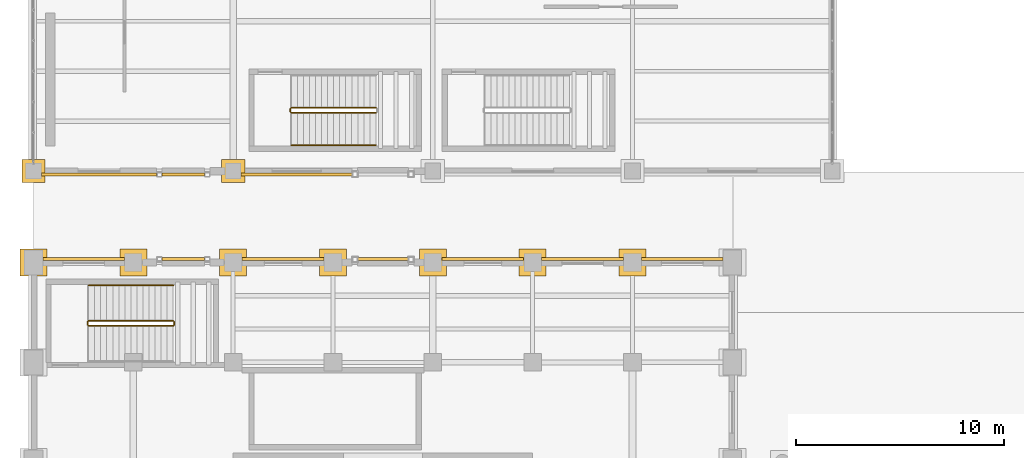
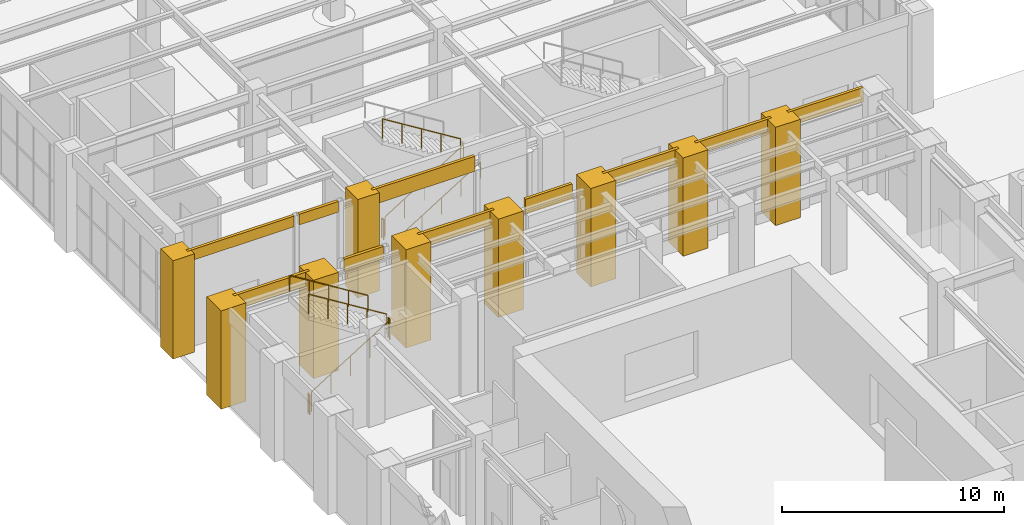
# One storey, part 154 of 164: 19 coverings, 9 railings.
"""IFC4 building model written with IfcOpenShell, lengths in metres."""

import ifcopenshell
import ifcopenshell.guid

model = None  # the IFC model being written
_history = None  # IfcOwnerHistory: only IFC2X3 demands one
_inside = {}  # id of a spatial element -> (the spatial element, [elements in it])
_under = {}  # id of a project, library or spatial element -> (it, [spatial elements below it])
_declared = {}  # id of a project -> (the project, [libraries it declares])
_typed = {}  # id of a type object -> (the type object, [elements of that type])
_made_of = {}  # id of a material, layer set ... -> (it, [elements and type objects made of it])


def new_model(schema):
    """Start an empty IFC model of exactly this schema.

    Asked for "IFC4X3", IfcOpenShell would pick the latest addendum, in which some entities
    have other attributes; the version numbers below select the first issue.
    IFC2X3 requires an IfcOwnerHistory on every rooted entity: one is made here for all.
    """
    global model, _history
    if schema == "IFC4X3":
        model = ifcopenshell.file(schema_version=(4, 3, 0, 0))
    else:
        model = ifcopenshell.file(schema=schema)
    _inside.clear()
    _under.clear()
    _declared.clear()
    _typed.clear()
    _made_of.clear()
    _history = None
    if model.schema == "IFC2X3":
        org = make("IfcOrganization", Name="unknown")
        user = make(
            "IfcPersonAndOrganization",
            ThePerson=make("IfcPerson", FamilyName="unknown"),
            TheOrganization=org,
        )
        app = make(
            "IfcApplication",
            ApplicationDeveloper=org,
            Version="unknown",
            ApplicationFullName="unknown",
            ApplicationIdentifier="unknown",
        )
        _history = make(
            "IfcOwnerHistory",
            OwningUser=user,
            OwningApplication=app,
            ChangeAction="ADDED",
            CreationDate=0,
        )
    return model


def make(cls, **values):
    """One entity of the class cls with the attributes given. An attribute that is None is left unset."""
    return model.create_entity(
        cls, **{name: value for name, value in values.items() if value is not None}
    )


def rooted(cls, **values):
    """An entity with a GlobalId (a new one), such as an element, a storey or a relation."""
    return make(cls, GlobalId=ifcopenshell.guid.new(), OwnerHistory=_history, **values)


def si_unit(unit_type, name, prefix=None):
    """IfcSIUnit, for example si_unit("LENGTHUNIT", "METRE", prefix="MILLI")."""
    return make("IfcSIUnit", UnitType=unit_type, Prefix=prefix, Name=name)


def assignment(units):
    """IfcUnitAssignment: the units of a project."""
    return None if units is None else make("IfcUnitAssignment", Units=units)


def point(xyz):
    """IfcCartesianPoint."""
    return None if xyz is None else make("IfcCartesianPoint", Coordinates=xyz)


def direction(xyz):
    """IfcDirection."""
    return None if xyz is None else make("IfcDirection", DirectionRatios=xyz)


def frame(location, z_axis=None, x_axis=None):
    """IfcAxis2Placement3D, a coordinate frame: its origin and axes. An axis left out is left unset."""
    return make(
        "IfcAxis2Placement3D",
        Location=point(location),
        Axis=direction(z_axis),
        RefDirection=direction(x_axis),
    )


def frame_2d(location, x_axis=None):
    """IfcAxis2Placement2D, a coordinate frame in the plane: its origin and x axis."""
    return make(
        "IfcAxis2Placement2D", Location=point(location), RefDirection=direction(x_axis)
    )


def origin():
    """The frame at (0, 0, 0) with its axes left unset."""
    return frame((0.0, 0.0, 0.0))


def origin_2d():
    """The frame at (0, 0) in the plane with its x axis left unset."""
    return frame_2d((0.0, 0.0))


def place(relative_to, where):
    """IfcLocalPlacement: puts the frame where relative to a parent placement (None: the world)."""
    return make(
        "IfcLocalPlacement", PlacementRelTo=relative_to, RelativePlacement=where
    )


def context(
    kind, dimensions, precision=None, world=None, true_north=None, identifier=None
):
    """IfcGeometricRepresentationContext, for example the 3D "Model" context."""
    return make(
        "IfcGeometricRepresentationContext",
        ContextIdentifier=identifier,
        ContextType=kind,
        CoordinateSpaceDimension=dimensions,
        Precision=precision,
        WorldCoordinateSystem=world,
        TrueNorth=true_north,
    )


def subcontext(parent, identifier, kind, view, scale=None):
    """IfcGeometricRepresentationSubContext, for example "Body" below "Model"."""
    return make(
        "IfcGeometricRepresentationSubContext",
        ContextIdentifier=identifier,
        ContextType=kind,
        ParentContext=parent,
        TargetScale=scale,
        TargetView=view,
    )


def project(units=None, contexts=None):
    """IfcProject with its units and contexts."""
    return rooted(
        "IfcProject",
        Name="project",
        RepresentationContexts=contexts,
        UnitsInContext=assignment(units),
    )


def spatial(cls, under=None, at=None, **own):
    """A site, building, storey or space (cls), placed at a placement, below another one or the project."""
    s = rooted(cls, ObjectPlacement=at, **own)
    if under is not None:
        _under.setdefault(under.id(), (under, []))[1].append(s)
    return s


def polyline(points):
    """IfcPolyline through the points."""
    return make("IfcPolyline", Points=[point(p) for p in points])


def profile(cls, at=None, kind="AREA", **sizes):
    """A parametric profile (cls). Its sizes go by their IFC names, for example OverallWidth=200.0."""
    return make(cls, ProfileType=kind, Position=at, **sizes)


def circle(**sizes):
    """IfcCircleProfileDef."""
    return profile("IfcCircleProfileDef", **sizes)


def outline(outer, holes=None, kind="AREA"):
    """IfcArbitraryClosedProfileDef: a profile drawn as a closed curve; with holes, ...WithVoids."""
    if holes is None:
        return make("IfcArbitraryClosedProfileDef", ProfileType=kind, OuterCurve=outer)
    return make(
        "IfcArbitraryProfileDefWithVoids",
        ProfileType=kind,
        OuterCurve=outer,
        InnerCurves=holes,
    )


def extrude(swept, where, along, depth):
    """IfcExtrudedAreaSolid: the profile swept, set in the frame where, extruded along a direction by depth."""
    return make(
        "IfcExtrudedAreaSolid",
        SweptArea=swept,
        Position=where,
        ExtrudedDirection=direction(along),
        Depth=depth,
    )


def shape(context_of_items, identifier, shape_type, items):
    """IfcShapeRepresentation: the items that make up one representation, for example the "Body"."""
    return make(
        "IfcShapeRepresentation",
        ContextOfItems=context_of_items,
        RepresentationIdentifier=identifier,
        RepresentationType=shape_type,
        Items=items,
    )


def material(Name=None, Category=None):
    """IfcMaterial."""
    return make("IfcMaterial", Name=Name, Category=Category)


def layer(
    of_material, thickness, ventilated=None, Name=None, Category=None, Priority=None
):
    """IfcMaterialLayer: one layer of a wall or slab, of a material (None: an air gap)."""
    return make(
        "IfcMaterialLayer",
        Material=of_material,
        LayerThickness=thickness,
        IsVentilated=ventilated,
        Name=Name,
        Category=Category,
        Priority=Priority,
    )


def layer_set(layers, Name=None):
    """IfcMaterialLayerSet."""
    return make("IfcMaterialLayerSet", MaterialLayers=layers, LayerSetName=Name)


def made_of(thing, what):
    """Note that an element or type object is made of a material, layer set ...; save() writes the relation."""
    if what is not None:
        _made_of.setdefault(what.id(), (what, []))[1].append(thing)
    return thing


def type_object(cls, material=None, **own):
    """A type object (cls), such as IfcWallType, which elements share."""
    return made_of(rooted(cls, **own), material)


def element(
    cls,
    number,
    at=None,
    inside=None,
    cuts=None,
    type_object=None,
    material=None,
    context=None,
    identifier="Body",
    shape_type=None,
    held_by="IfcProductDefinitionShape",
    body=None,
    shapes=None,
    **own,
):
    """One element of the class cls, such as IfcWall. Its Tag is "e" and its number.

    at: its placement. inside: the storey or other place that contains it. cuts: it is an
    opening in that element (IfcRelVoidsElement). A single representation is given by context,
    identifier, shape_type and body (its items); several are given by shapes. held_by: the class
    of the entity that holds the representations. save() writes the other relations.
    """
    e = rooted(cls, Tag="e%d" % number, ObjectPlacement=at, **own)
    if body is not None:
        shapes = [shape(context, identifier, shape_type, body)]
    if shapes is not None:
        e.Representation = make(held_by, Representations=shapes)
    if inside is not None:
        _inside.setdefault(inside.id(), (inside, []))[1].append(e)
    if cuts is not None:
        rooted(
            "IfcRelVoidsElement", RelatingBuildingElement=cuts, RelatedOpeningElement=e
        )
    if type_object is not None:
        _typed.setdefault(type_object.id(), (type_object, []))[1].append(e)
    return made_of(e, material)


def aggregate(whole, parts):
    """IfcRelAggregates: a whole, such as a stair, and the parts it consists of."""
    return rooted("IfcRelAggregates", RelatingObject=whole, RelatedObjects=parts)


def save(model, path):
    """Write the relations noted so far, then the file.

    IfcRelAggregates (storeys below a building ...), IfcRelContainedInSpatialStructure (elements
    in a storey), IfcRelDefinesByType, IfcRelAssociatesMaterial and IfcRelDeclares: one each for
    every whole, place, type object, material and project.
    """
    for whole, parts in _under.values():
        aggregate(whole, parts)
    for where, things in _inside.values():
        rooted(
            "IfcRelContainedInSpatialStructure",
            RelatedElements=things,
            RelatingStructure=where,
        )
    for kind, things in _typed.values():
        rooted("IfcRelDefinesByType", RelatedObjects=things, RelatingType=kind)
    for what, things in _made_of.values():
        rooted("IfcRelAssociatesMaterial", RelatedObjects=things, RelatingMaterial=what)
    for by, libraries in _declared.values():
        rooted("IfcRelDeclares", RelatingContext=by, RelatedDefinitions=libraries)
    model.write(path)


model = new_model("IFC4")

# Units and contexts
model_context = context("Model", 3, precision=1e-05, world=origin(), true_north=direction((0.0, 1.0)))
body_context = subcontext(model_context, "Body", "Model", "MODEL_VIEW")
ifc_project = project(units=[si_unit("LENGTHUNIT", "METRE"), si_unit("AREAUNIT", "SQUARE_METRE"), si_unit("VOLUMEUNIT", "CUBIC_METRE"), si_unit("PLANEANGLEUNIT", "RADIAN"), si_unit("MASSUNIT", "GRAM", prefix="KILO")], contexts=[model_context])

# Site, building, storey
site_placement = place(None, origin())
site = spatial("IfcSite", under=ifc_project, at=site_placement, CompositionType="ELEMENT")
building_placement = place(site_placement, origin())
building = spatial("IfcBuilding", under=site, at=building_placement, Name="Mavantir Sound Aquarium", CompositionType="ELEMENT")
storey_placement = place(building_placement, origin())
storey = spatial("IfcBuildingStorey", under=building, at=storey_placement, Name="L00", CompositionType="ELEMENT", Elevation=0.0)

# Coverings
ifc_material_1 = material(Name="Honed Coral-Limestone & Glazed Terracotta Rainscreen Cladding", Category="masonry")
ifc_layer = layer(ifc_material_1, 0.06005859375, Name="Honed Coral-Limestone & Glazed Terracotta Rainscreen Cladding")
ifc_layer_set = layer_set([ifc_layer], Name="Honed Coral-Limestone & Glazed Terracotta Rainscreen Cladding")
covering_type = type_object("IfcCoveringType", Name="COV-CLAD-TC", PredefinedType="CLADDING", material=ifc_layer_set)
covering_1_placement = place(storey_placement, frame((0.0, 0.0, 4.60791015625)))
element("IfcCovering", 1, at=covering_1_placement, inside=storey, type_object=covering_type, Name="L00 Postmodern coral-limestone spandrel frieze 9", PredefinedType="CLADDING", context=body_context, shape_type="SweptSolid", body=[
    extrude(outline(polyline([(33.14208984375, 79.2900390625), (29.23291015625, 79.2900390625), (29.23291015625, 79.43994140625), (33.14208984375, 79.43994140625), (33.14208984375, 79.2900390625)])), origin(), (0.0, 0.0, 1.0), 0.7919921875),
])
covering_2_placement = place(storey_placement, frame((0.0, 0.0, 4.712890625)))
element("IfcCovering", 2, at=covering_2_placement, inside=storey, type_object=covering_type, Name="L00 Postmodern coral-limestone spandrel frieze 10", PredefinedType="CLADDING", context=body_context, shape_type="SweptSolid", body=[
    extrude(outline(polyline([(28.366943359375, 79.2900390625), (24.43310546875, 79.2900390625), (24.43310546875, 79.43994140625), (28.366943359375, 79.43994140625), (28.366943359375, 79.2900390625)])), origin(), (0.0, 0.0, 1.0), 0.68701171875),
])
covering_3_placement = place(storey_placement, frame((0.0, 0.0, 4.60791015625)))
element("IfcCovering", 3, at=covering_3_placement, inside=storey, type_object=covering_type, Name="L00 Postmodern coral-limestone spandrel frieze 11", PredefinedType="CLADDING", context=body_context, shape_type="SweptSolid", body=[
    extrude(outline(polyline([(23.56689453125, 79.2900390625), (19.633056640625, 79.2900390625), (19.633056640625, 79.43994140625), (23.56689453125, 79.43994140625), (23.56689453125, 79.2900390625)])), origin(), (0.0, 0.0, 1.0), 0.7919921875),
])
covering_4_placement = place(storey_placement, frame((0.0, 0.0, 4.571044921875)))
element("IfcCovering", 4, at=covering_4_placement, inside=storey, type_object=covering_type, Name="L00 Postmodern coral-limestone spandrel frieze 12", PredefinedType="CLADDING", context=body_context, shape_type="SweptSolid", body=[
    extrude(outline(polyline([(18.01708984375, 79.2900390625), (15.5830078125, 79.2900390625), (15.5830078125, 79.43994140625), (18.01708984375, 79.43994140625), (18.01708984375, 79.2900390625)])), origin(), (0.0, 0.0, 1.0), 0.828857421875),
])
covering_5_placement = place(storey_placement, frame((0.0, 0.0, 4.60791015625)))
element("IfcCovering", 5, at=covering_5_placement, inside=storey, type_object=covering_type, Name="L00 Postmodern coral-limestone spandrel frieze 13", PredefinedType="CLADDING", context=body_context, shape_type="SweptSolid", body=[
    extrude(outline(polyline([(13.967041015625, 79.2900390625), (10.032958984375, 79.2900390625), (10.032958984375, 79.43994140625), (13.967041015625, 79.43994140625), (13.967041015625, 79.2900390625)])), origin(), (0.0, 0.0, 1.0), 0.7919921875),
])
covering_6_placement = place(storey_placement, frame((0.0, 0.0, 4.712890625)))
element("IfcCovering", 6, at=covering_6_placement, inside=storey, type_object=covering_type, Name="L00 Postmodern coral-limestone spandrel frieze 14", PredefinedType="CLADDING", context=body_context, shape_type="SweptSolid", body=[
    extrude(outline(polyline([(8.217041015625, 79.2900390625), (6.18310546875, 79.2900390625), (6.18310546875, 79.43994140625), (8.217041015625, 79.43994140625), (8.217041015625, 79.2900390625)])), origin(), (0.0, 0.0, 1.0), 0.68701171875),
])
covering_7_placement = place(storey_placement, frame((0.0, 0.0, 4.60791015625)))
element("IfcCovering", 7, at=covering_7_placement, inside=storey, type_object=covering_type, Name="L00 Postmodern coral-limestone spandrel frieze 15", PredefinedType="CLADDING", context=body_context, shape_type="SweptSolid", body=[
    extrude(outline(polyline([(4.366943359375, 79.2900390625), (0.4580078125, 79.2900390625), (0.4580078125, 79.43994140625), (4.366943359375, 79.43994140625), (4.366943359375, 79.2900390625)])), origin(), (0.0, 0.0, 1.0), 0.7919921875),
])
covering_8_placement = place(storey_placement, frame((0.0, 0.0, 4.81298828125)))
element("IfcCovering", 8, at=covering_8_placement, inside=storey, type_object=covering_type, Name="L00 Postmodern coral-limestone spandrel frieze 117", PredefinedType="CLADDING", context=body_context, shape_type="SweptSolid", body=[
    extrude(outline(polyline([(0.383056640625, 83.510009765625), (5.9169921875, 83.510009765625), (5.9169921875, 83.360107421875), (0.383056640625, 83.360107421875), (0.383056640625, 83.510009765625)])), origin(), (0.0, 0.0, 1.0), 0.5869140625),
])
covering_9_placement = place(storey_placement, frame((0.0, 0.0, 4.81298828125)))
element("IfcCovering", 9, at=covering_9_placement, inside=storey, type_object=covering_type, Name="L00 Postmodern coral-limestone spandrel frieze 118", PredefinedType="CLADDING", context=body_context, shape_type="SweptSolid", body=[
    extrude(outline(polyline([(6.18310546875, 83.510009765625), (8.217041015625, 83.510009765625), (8.217041015625, 83.360107421875), (6.18310546875, 83.360107421875), (6.18310546875, 83.510009765625)])), origin(), (0.0, 0.0, 1.0), 0.5869140625),
])
covering_10_placement = place(storey_placement, frame((0.0, 0.0, 4.571044921875)))
element("IfcCovering", 10, at=covering_10_placement, inside=storey, type_object=covering_type, Name="L00 Postmodern coral-limestone spandrel frieze 119", PredefinedType="CLADDING", context=body_context, shape_type="SweptSolid", body=[
    extrude(outline(polyline([(9.98291015625, 83.510009765625), (15.31689453125, 83.510009765625), (15.31689453125, 83.360107421875), (9.98291015625, 83.360107421875), (9.98291015625, 83.510009765625)])), origin(), (0.0, 0.0, 1.0), 0.828857421875),
])
covering_11_placement = place(storey_placement, origin())
element("IfcCovering", 11, at=covering_11_placement, inside=storey, type_object=covering_type, Name="L00 Postmodern coral-limestone pilaster casing 33", PredefinedType="CLADDING", context=body_context, shape_type="SweptSolid", body=[
    extrude(outline(polyline([(-0.64990234375, 78.550048828125), (0.64990234375, 78.550048828125), (0.64990234375, 79.85009765625), (-0.64990234375, 79.85009765625), (-0.64990234375, 78.550048828125)])), origin(), (0.0, 0.0, 1.0), 5.39990234375),
])
covering_12_placement = place(storey_placement, origin())
element("IfcCovering", 12, at=covering_12_placement, inside=storey, type_object=covering_type, Name="L00 Postmodern coral-limestone pilaster casing 41", PredefinedType="CLADDING", context=body_context, shape_type="SweptSolid", body=[
    extrude(outline(polyline([(4.14990234375, 78.550048828125), (5.449951171875, 78.550048828125), (5.449951171875, 79.85009765625), (4.14990234375, 79.85009765625), (4.14990234375, 78.550048828125)])), origin(), (0.0, 0.0, 1.0), 5.39990234375),
])
covering_13_placement = place(storey_placement, origin())
element("IfcCovering", 13, at=covering_13_placement, inside=storey, type_object=covering_type, Name="L00 Postmodern coral-limestone pilaster casing 49", PredefinedType="CLADDING", context=body_context, shape_type="SweptSolid", body=[
    extrude(outline(polyline([(8.949951171875, 78.550048828125), (10.25, 78.550048828125), (10.25, 79.85009765625), (8.949951171875, 79.85009765625), (8.949951171875, 78.550048828125)])), origin(), (0.0, 0.0, 1.0), 5.39990234375),
])
covering_14_placement = place(storey_placement, origin())
element("IfcCovering", 14, at=covering_14_placement, inside=storey, type_object=covering_type, Name="L00 Postmodern coral-limestone pilaster casing 57", PredefinedType="CLADDING", context=body_context, shape_type="SweptSolid", body=[
    extrude(outline(polyline([(13.75, 78.550048828125), (15.050048828125, 78.550048828125), (15.050048828125, 79.85009765625), (13.75, 79.85009765625), (13.75, 78.550048828125)])), origin(), (0.0, 0.0, 1.0), 5.39990234375),
])
covering_15_placement = place(storey_placement, origin())
element("IfcCovering", 15, at=covering_15_placement, inside=storey, type_object=covering_type, Name="L00 Postmodern coral-limestone pilaster casing 65", PredefinedType="CLADDING", context=body_context, shape_type="SweptSolid", body=[
    extrude(outline(polyline([(18.550048828125, 78.550048828125), (19.85009765625, 78.550048828125), (19.85009765625, 79.85009765625), (18.550048828125, 79.85009765625), (18.550048828125, 78.550048828125)])), origin(), (0.0, 0.0, 1.0), 5.39990234375),
])
covering_16_placement = place(storey_placement, origin())
element("IfcCovering", 16, at=covering_16_placement, inside=storey, type_object=covering_type, Name="L00 Postmodern coral-limestone pilaster casing 73", PredefinedType="CLADDING", context=body_context, shape_type="SweptSolid", body=[
    extrude(outline(polyline([(23.35009765625, 78.550048828125), (24.64990234375, 78.550048828125), (24.64990234375, 79.85009765625), (23.35009765625, 79.85009765625), (23.35009765625, 78.550048828125)])), origin(), (0.0, 0.0, 1.0), 5.39990234375),
])
covering_17_placement = place(storey_placement, origin())
element("IfcCovering", 17, at=covering_17_placement, inside=storey, type_object=covering_type, Name="L00 Postmodern coral-limestone pilaster casing 81", PredefinedType="CLADDING", context=body_context, shape_type="SweptSolid", body=[
    extrude(outline(polyline([(28.14990234375, 78.550048828125), (29.449951171875, 78.550048828125), (29.449951171875, 79.85009765625), (28.14990234375, 79.85009765625), (28.14990234375, 78.550048828125)])), origin(), (0.0, 0.0, 1.0), 5.39990234375),
])
covering_18_placement = place(storey_placement, origin())
element("IfcCovering", 18, at=covering_18_placement, inside=storey, type_object=covering_type, Name="L00 Postmodern coral-limestone pilaster casing 343", PredefinedType="CLADDING", context=body_context, shape_type="SweptSolid", body=[
    extrude(outline(polyline([(-0.56005859375, 83.0400390625), (0.56005859375, 83.0400390625), (0.56005859375, 84.159912109375), (-0.56005859375, 84.159912109375), (-0.56005859375, 83.0400390625)])), origin(), (0.0, 0.0, 1.0), 5.39990234375),
])
covering_19_placement = place(storey_placement, origin())
element("IfcCovering", 19, at=covering_19_placement, inside=storey, type_object=covering_type, Name="L00 Postmodern coral-limestone pilaster casing 366", PredefinedType="CLADDING", context=body_context, shape_type="SweptSolid", body=[
    extrude(outline(polyline([(9.0400390625, 83.0400390625), (10.159912109375, 83.0400390625), (10.159912109375, 84.159912109375), (9.0400390625, 84.159912109375), (9.0400390625, 83.0400390625)])), origin(), (0.0, 0.0, 1.0), 5.39990234375),
])

# Railings
ifc_material_2 = material(Name="Stainless Steel 316 and Laminated Glass Guardrail", Category="steel")
railing_type_1 = type_object("IfcRailingType", Name="RL-GUARD-110", PredefinedType="GUARDRAIL", material=ifc_material_2)
railing_1_placement = place(storey_placement, frame((2.64990234375, 76.14990234375, 0.179931640625)))
element("IfcRailing", 20, at=railing_1_placement, inside=storey, type_object=railing_type_1, Name="L00 ST2 stair guard 1", PredefinedType="GUARDRAIL", context=body_context, shape_type="SweptSolid", body=[
    extrude(circle(Radius=0.02392578125, at=origin_2d()), frame((0.0, 0.0, 1.076171875), z_axis=(0.849641744969, 0.0, 0.527360318194), x_axis=(0.0, 1.0, 0.0)), (0.0, 0.0, 1.0), 4.778564453125),
    extrude(circle(Radius=0.02099609375, at=origin_2d()), origin(), (0.0, 0.0, 1.0), 1.052001953125),
    extrude(circle(Radius=0.02099609375, at=origin_2d()), frame((1.01513671875, 0.0, 0.6298828125)), (0.0, 0.0, 1.0), 1.052001953125),
    extrude(circle(Radius=0.02099609375, at=origin_2d()), frame((2.030029296875, 0.0, 1.260009765625)), (0.0, 0.0, 1.0), 1.052001953125),
    extrude(circle(Radius=0.02099609375, at=origin_2d()), frame((3.044921875, 0.0, 1.89013671875)), (0.0, 0.0, 1.0), 1.052001953125),
    extrude(circle(Radius=0.02099609375, at=origin_2d()), frame((4.06005859375, 0.0, 2.52001953125)), (0.0, 0.0, 1.0), 1.052001953125),
])
railing_2_placement = place(storey_placement, frame((6.760009765625, 76.199951171875, 2.699951171875)))
element("IfcRailing", 21, at=railing_2_placement, inside=storey, type_object=railing_type_1, Name="L00 ST2 stair guard 2", PredefinedType="GUARDRAIL", context=body_context, shape_type="SweptSolid", body=[
    extrude(circle(Radius=0.02392578125, at=origin_2d()), frame((0.0, 0.0, 1.076171875), z_axis=(0.0, 1.0, 0.0), x_axis=(-1.0, 0.0, 0.0)), (0.0, 0.0, 1.0), 0.150146484375),
    extrude(circle(Radius=0.02099609375, at=origin_2d()), origin(), (0.0, 0.0, 1.0), 1.052001953125),
    extrude(circle(Radius=0.02099609375, at=origin_2d()), frame((0.0, 0.150146484375, 0.0)), (0.0, 0.0, 1.0), 1.052001953125),
])
railing_3_placement = place(storey_placement, frame((6.7099609375, 76.39990234375, 2.8798828125)))
element("IfcRailing", 22, at=railing_3_placement, inside=storey, type_object=railing_type_1, Name="L00 ST2 stair guard 3", PredefinedType="GUARDRAIL", context=body_context, shape_type="SweptSolid", body=[
    extrude(circle(Radius=0.02392578125, at=origin_2d()), frame((0.0, 0.0, 1.076171875), z_axis=(-0.849641744969, 0.0, 0.527360318194), x_axis=(0.0, -1.0, 0.0)), (0.0, 0.0, 1.0), 4.778564453125),
    extrude(circle(Radius=0.02099609375, at=origin_2d()), origin(), (0.0, 0.0, 1.0), 1.052001953125),
    extrude(circle(Radius=0.02099609375, at=origin_2d()), frame((-1.01513671875, 0.0, 0.6298828125)), (0.0, 0.0, 1.0), 1.052001953125),
    extrude(circle(Radius=0.02099609375, at=origin_2d()), frame((-2.030029296875, 0.0, 1.260009765625)), (0.0, 0.0, 1.0), 1.052001953125),
    extrude(circle(Radius=0.02099609375, at=origin_2d()), frame((-3.044921875, 0.0, 1.89013671875)), (0.0, 0.0, 1.0), 1.052001953125),
    extrude(circle(Radius=0.02099609375, at=origin_2d()), frame((-4.06005859375, 0.0, 2.52001953125)), (0.0, 0.0, 1.0), 1.052001953125),
])
railing_4_placement = place(storey_placement, frame((2.60009765625, 76.199951171875, 0.0)))
element("IfcRailing", 23, at=railing_4_placement, inside=storey, type_object=railing_type_1, Name="L00 ST2 stair guard 4", PredefinedType="GUARDRAIL", context=body_context, shape_type="SweptSolid", body=[
    extrude(circle(Radius=0.02392578125, at=origin_2d()), frame((0.0, 0.0, 1.076171875), z_axis=(0.0, 1.0, 0.0), x_axis=(-1.0, 0.0, 0.0)), (0.0, 0.0, 1.0), 0.150146484375),
    extrude(circle(Radius=0.02099609375, at=origin_2d()), origin(), (0.0, 0.0, 1.0), 1.052001953125),
    extrude(circle(Radius=0.02099609375, at=origin_2d()), frame((0.0, 0.150146484375, 0.0)), (0.0, 0.0, 1.0), 1.052001953125),
])
railing_5_placement = place(storey_placement, frame((12.39990234375, 86.39990234375, 0.179931640625)))
element("IfcRailing", 24, at=railing_5_placement, inside=storey, type_object=railing_type_1, Name="L00 ST5 stair guard 1", PredefinedType="GUARDRAIL", context=body_context, shape_type="SweptSolid", body=[
    extrude(circle(Radius=0.02392578125, at=origin_2d()), frame((0.0, 0.0, 1.076171875), z_axis=(0.849641744969, 0.0, 0.527360318194), x_axis=(0.0, 1.0, 0.0)), (0.0, 0.0, 1.0), 4.778564453125),
    extrude(circle(Radius=0.02099609375, at=origin_2d()), origin(), (0.0, 0.0, 1.0), 1.052001953125),
    extrude(circle(Radius=0.02099609375, at=origin_2d()), frame((1.01513671875, 0.0, 0.6298828125)), (0.0, 0.0, 1.0), 1.052001953125),
    extrude(circle(Radius=0.02099609375, at=origin_2d()), frame((2.030029296875, 0.0, 1.260009765625)), (0.0, 0.0, 1.0), 1.052001953125),
    extrude(circle(Radius=0.02099609375, at=origin_2d()), frame((3.044921875, 0.0, 1.89013671875)), (0.0, 0.0, 1.0), 1.052001953125),
    extrude(circle(Radius=0.02099609375, at=origin_2d()), frame((4.06005859375, 0.0, 2.52001953125)), (0.0, 0.0, 1.0), 1.052001953125),
])
railing_6_placement = place(storey_placement, frame((16.4599609375, 86.64990234375, 2.8798828125)))
element("IfcRailing", 25, at=railing_6_placement, inside=storey, type_object=railing_type_1, Name="L00 ST5 stair guard 3", PredefinedType="GUARDRAIL", context=body_context, shape_type="SweptSolid", body=[
    extrude(circle(Radius=0.02392578125, at=origin_2d()), frame((0.0, 0.0, 1.076171875), z_axis=(-0.849641744969, 0.0, 0.527360318194), x_axis=(0.0, -1.0, 0.0)), (0.0, 0.0, 1.0), 4.778564453125),
    extrude(circle(Radius=0.02099609375, at=origin_2d()), origin(), (0.0, 0.0, 1.0), 1.052001953125),
    extrude(circle(Radius=0.02099609375, at=origin_2d()), frame((-1.01513671875, 0.0, 0.6298828125)), (0.0, 0.0, 1.0), 1.052001953125),
    extrude(circle(Radius=0.02099609375, at=origin_2d()), frame((-2.030029296875, 0.0, 1.260009765625)), (0.0, 0.0, 1.0), 1.052001953125),
    extrude(circle(Radius=0.02099609375, at=origin_2d()), frame((-3.044921875, 0.0, 1.89013671875)), (0.0, 0.0, 1.0), 1.052001953125),
    extrude(circle(Radius=0.02099609375, at=origin_2d()), frame((-4.06005859375, 0.0, 2.52001953125)), (0.0, 0.0, 1.0), 1.052001953125),
])
railing_7_placement = place(storey_placement, frame((12.35009765625, 86.449951171875, 0.0)))
element("IfcRailing", 26, at=railing_7_placement, inside=storey, type_object=railing_type_1, Name="L00 ST5 stair guard 4", PredefinedType="GUARDRAIL", context=body_context, shape_type="SweptSolid", body=[
    extrude(circle(Radius=0.02392578125, at=origin_2d()), frame((0.0, 0.0, 1.076171875), z_axis=(0.0, 1.0, 0.0), x_axis=(-1.0, 0.0, 0.0)), (0.0, 0.0, 1.0), 0.150146484375),
    extrude(circle(Radius=0.02099609375, at=origin_2d()), origin(), (0.0, 0.0, 1.0), 1.052001953125),
    extrude(circle(Radius=0.02099609375, at=origin_2d()), frame((0.0, 0.150146484375, 0.0)), (0.0, 0.0, 1.0), 1.052001953125),
])
ifc_material_3 = material(Name="Brushed Stainless Steel 316 Handrail", Category="steel")
railing_type_2 = type_object("IfcRailingType", Name="RL-HR-90", PredefinedType="HANDRAIL", material=ifc_material_3)
railing_8_placement = place(storey_placement, frame((6.7099609375, 78.10009765625, 3.06494140625)))
element("IfcRailing", 27, at=railing_8_placement, inside=storey, type_object=railing_type_2, Name="L00 ST2 stair handrail 2", PredefinedType="HANDRAIL", context=body_context, shape_type="SweptSolid", body=[
    extrude(circle(Radius=0.02392578125, at=origin_2d()), frame((0.0, 0.0, 0.89111328125), z_axis=(-0.849641744969, 0.0, 0.527360318194), x_axis=(0.0, -1.0, 0.0)), (0.0, 0.0, 1.0), 4.778564453125),
    extrude(circle(Radius=0.02099609375, at=origin_2d()), origin(), (0.0, 0.0, 1.0), 0.866943359375),
    extrude(circle(Radius=0.02099609375, at=origin_2d()), frame((-1.01513671875, 0.0, 0.6298828125)), (0.0, 0.0, 1.0), 0.866943359375),
    extrude(circle(Radius=0.02099609375, at=origin_2d()), frame((-2.030029296875, 0.0, 1.260009765625)), (0.0, 0.0, 1.0), 0.866943359375),
    extrude(circle(Radius=0.02099609375, at=origin_2d()), frame((-3.044921875, 0.0, 1.89013671875)), (0.0, 0.0, 1.0), 0.866943359375),
    extrude(circle(Radius=0.02099609375, at=origin_2d()), frame((-4.06005859375, 0.0, 2.52001953125)), (0.0, 0.0, 1.0), 0.866943359375),
])
railing_9_placement = place(storey_placement, frame((12.39990234375, 84.85009765625, 0.364990234375)))
element("IfcRailing", 28, at=railing_9_placement, inside=storey, type_object=railing_type_2, Name="L00 ST5 stair handrail 1", PredefinedType="HANDRAIL", context=body_context, shape_type="SweptSolid", body=[
    extrude(circle(Radius=0.02392578125, at=origin_2d()), frame((0.0, 0.0, 0.89111328125), z_axis=(0.849641744969, 0.0, 0.527360318194), x_axis=(0.0, 1.0, 0.0)), (0.0, 0.0, 1.0), 4.778564453125),
    extrude(circle(Radius=0.02099609375, at=origin_2d()), origin(), (0.0, 0.0, 1.0), 0.866943359375),
    extrude(circle(Radius=0.02099609375, at=origin_2d()), frame((1.01513671875, 0.0, 0.6298828125)), (0.0, 0.0, 1.0), 0.866943359375),
    extrude(circle(Radius=0.02099609375, at=origin_2d()), frame((2.030029296875, 0.0, 1.260009765625)), (0.0, 0.0, 1.0), 0.866943359375),
    extrude(circle(Radius=0.02099609375, at=origin_2d()), frame((3.044921875, 0.0, 1.89013671875)), (0.0, 0.0, 1.0), 0.866943359375),
    extrude(circle(Radius=0.02099609375, at=origin_2d()), frame((4.06005859375, 0.0, 2.52001953125)), (0.0, 0.0, 1.0), 0.866943359375),
])

save(model, "model.ifc")
